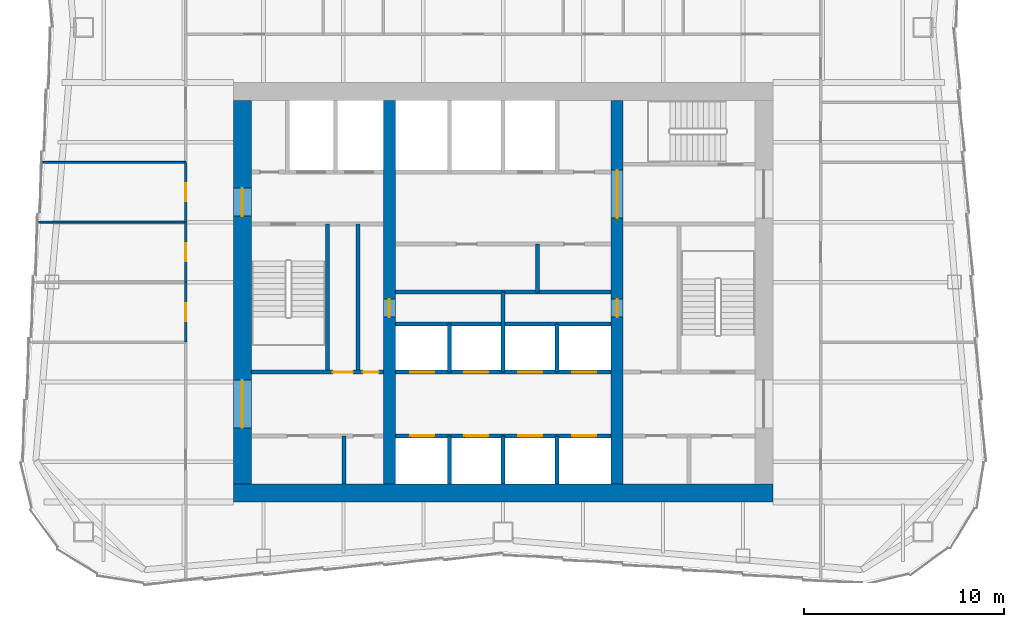
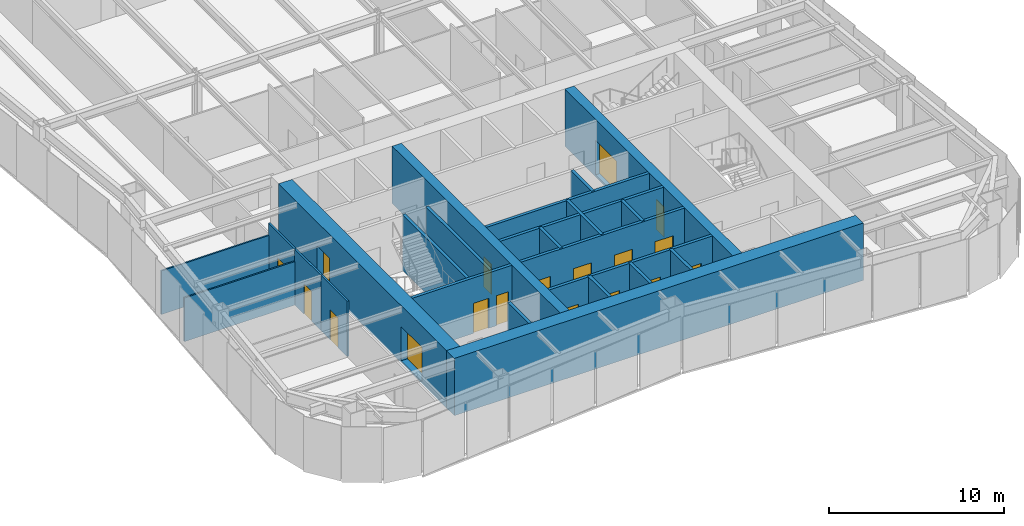
# One storey, part 5 of 10: 24 walls, 18 doors, 18 openings.
"""IFC4 building model written with IfcOpenShell, lengths in metres."""

from ifc_helpers import new_model, si_unit, direction, frame, frame_2d, origin, place, context, subcontext, project, spatial, rectangle, extrude, material, layer, layer_set, type_object, element, fill, save


model = new_model("IFC4")

# Units and contexts
model_context = context("Model", 3, precision=1e-05, world=origin(), true_north=direction((0.0, 1.0)))
body_context = subcontext(model_context, "Body", "Model", "MODEL_VIEW")
ifc_project = project(units=[si_unit("LENGTHUNIT", "METRE"), si_unit("AREAUNIT", "SQUARE_METRE"), si_unit("VOLUMEUNIT", "CUBIC_METRE"), si_unit("PLANEANGLEUNIT", "RADIAN"), si_unit("MASSUNIT", "GRAM", prefix="KILO")], contexts=[model_context])

# Site, building, storey
site_placement = place(None, origin())
site = spatial("IfcSite", under=ifc_project, at=site_placement, CompositionType="ELEMENT")
building_placement = place(site_placement, origin())
building = spatial("IfcBuilding", under=site, at=building_placement, Name="Verdant Reach Tower", CompositionType="ELEMENT")
storey_placement = place(building_placement, frame((0.0, 0.0, 186.0)))
storey = spatial("IfcBuildingStorey", under=building, at=storey_placement, Name="L42", CompositionType="ELEMENT", Elevation=186.0)

# Walls
ifc_material_1 = material(Name="Gypsum board on steel studs", Category="steel")
ifc_layer_1 = layer(ifc_material_1, 0.199951171875)
ifc_layer_set_1 = layer_set([ifc_layer_1], Name="CO-WALL-ROOM")
wall_type_1 = type_object("IfcWallType", Name="CO-WALL-ROOM", PredefinedType="PARTITIONING", material=ifc_layer_set_1)
wall_1_placement = place(storey_placement, frame((-5.39990234375, 28.0, 0.0), z_axis=(0.0, 0.0, 1.0), x_axis=(1.0, 0.0, 0.0)))
element("IfcWall", 1, at=wall_1_placement, inside=storey, type_object=wall_type_1, Name="Core partition, L42", PredefinedType="PARTITIONING", context=body_context, shape_type="SweptSolid", body=[
    extrude(rectangle(XDim=10.7998046875, YDim=0.199951171875, at=frame_2d((5.39990234375, 0.0))), origin(), (0.0, 0.0, 1.0), 3.8701171875),
])
wall_2_placement = place(storey_placement, frame((-7.97998046875, 18.39990234375, 0.0), z_axis=(0.0, 0.0, 1.0), x_axis=(0.0, 1.0, 0.0)))
element("IfcWall", 2, at=wall_2_placement, inside=storey, type_object=wall_type_1, Name="Core partition, L42", PredefinedType="PARTITIONING", context=body_context, shape_type="SweptSolid", body=[
    extrude(rectangle(XDim=2.400146484375, YDim=0.199951171875, at=frame_2d((1.2001953125, 0.0))), origin(), (0.0, 0.0, 1.0), 3.8701171875),
])
wall_3_placement = place(storey_placement, frame((-7.260009765625, 24.0, 0.0), z_axis=(0.0, 0.0, 1.0), x_axis=(0.0, 1.0, 0.0)))
element("IfcWall", 3, at=wall_3_placement, inside=storey, type_object=wall_type_1, Name="Core partition, L42", PredefinedType="PARTITIONING", context=body_context, shape_type="SweptSolid", body=[
    extrude(rectangle(XDim=7.39990234375, YDim=0.199951171875, at=frame_2d((3.699951171875, 0.0))), origin(), (0.0, 0.0, 1.0), 3.8701171875),
])
wall_4_placement = place(storey_placement, frame((1.72802734375, 28.0, 0.0), z_axis=(0.0, 0.0, 1.0), x_axis=(0.0, 1.0, 0.0)))
element("IfcWall", 4, at=wall_4_placement, inside=storey, type_object=wall_type_1, Name="Core partition, L42", PredefinedType="PARTITIONING", context=body_context, shape_type="SweptSolid", body=[
    extrude(rectangle(XDim=2.39990234375, YDim=0.199951171875, at=frame_2d((1.199951171875, 0.0))), origin(), (0.0, 0.0, 1.0), 3.8701171875),
])

# Wall, openings, doors
ifc_material_2 = material(Name="Concrete C40/50", Category="concrete")
ifc_layer_2 = layer(ifc_material_2, 0.199951171875)
ifc_layer_set_2 = layer_set([ifc_layer_2], Name="CO-WALL-SHAFT")
wall_type_2 = type_object("IfcWallType", Name="CO-WALL-SHAFT", PredefinedType="PARTITIONING", material=ifc_layer_set_2)
wall_5_placement = place(storey_placement, frame((-5.39990234375, 20.800048828125, 0.0), z_axis=(0.0, 0.0, 1.0), x_axis=(1.0, 0.0, 0.0)))
wall_5 = element("IfcWall", 5, at=wall_5_placement, inside=storey, type_object=wall_type_2, Name="Lift shaft wall, L42", PredefinedType="PARTITIONING", context=body_context, shape_type="SweptSolid", body=[
    extrude(rectangle(XDim=10.7998046875, YDim=0.199951171875, at=frame_2d((5.39990234375, 0.0))), origin(), (0.0, 0.0, 1.0), 3.8701171875),
])
opening_1_placement = place(wall_5_placement, frame((0.75, 0.0, 0.0)))
opening_1 = element("IfcOpeningElement", 6, at=opening_1_placement, cuts=wall_5, Name="Opening LD-B1", PredefinedType="OPENING", context=body_context, shape_type="SweptSolid", body=[
    extrude(rectangle(XDim=1.199951171875, YDim=2.199951171875, at=frame_2d((0.60009765625, 1.10009765625))), frame((0.0, 0.10986328125, 0.0), z_axis=(0.0, -1.0, 0.0), x_axis=(1.0, 0.0, 0.0)), (0.0, 0.0, 1.0), 0.219970703125),
])
opening_2_placement = place(wall_5_placement, frame((3.449951171875, 0.0, 0.0)))
opening_2 = element("IfcOpeningElement", 7, at=opening_2_placement, cuts=wall_5, Name="Opening LD-B2", PredefinedType="OPENING", context=body_context, shape_type="SweptSolid", body=[
    extrude(rectangle(XDim=1.199951171875, YDim=2.199951171875, at=frame_2d((0.60009765625, 1.10009765625))), frame((0.0, 0.10986328125, 0.0), z_axis=(0.0, -1.0, 0.0), x_axis=(1.0, 0.0, 0.0)), (0.0, 0.0, 1.0), 0.219970703125),
])
opening_3_placement = place(wall_5_placement, frame((6.14990234375, 0.0, 0.0)))
opening_3 = element("IfcOpeningElement", 8, at=opening_3_placement, cuts=wall_5, Name="Opening LD-B3", PredefinedType="OPENING", context=body_context, shape_type="SweptSolid", body=[
    extrude(rectangle(XDim=1.199951171875, YDim=2.199951171875, at=frame_2d((0.60009765625, 1.10009765625))), frame((0.0, 0.10986328125, 0.0), z_axis=(0.0, -1.0, 0.0), x_axis=(1.0, 0.0, 0.0)), (0.0, 0.0, 1.0), 0.219970703125),
])
opening_4_placement = place(wall_5_placement, frame((8.85009765625, 0.0, 0.0)))
opening_4 = element("IfcOpeningElement", 9, at=opening_4_placement, cuts=wall_5, Name="Opening LD-B4", PredefinedType="OPENING", context=body_context, shape_type="SweptSolid", body=[
    extrude(rectangle(XDim=1.199951171875, YDim=2.199951171875, at=frame_2d((0.60009765625, 1.10009765625))), frame((0.0, 0.10986328125, 0.0), z_axis=(0.0, -1.0, 0.0), x_axis=(1.0, 0.0, 0.0)), (0.0, 0.0, 1.0), 0.219970703125),
])
ifc_material_3 = material(Name="Stainless steel", Category="steel")
door_type_1 = type_object("IfcDoorType", Name="CO-DOOR-LANDING", OperationType="SLIDING_TO_LEFT", PredefinedType="DOOR", material=ifc_material_3)
door_1_placement = place(opening_1_placement, origin())
door_1 = element("IfcDoor", 10, at=door_1_placement, inside=storey, type_object=door_type_1, Name="Landing door B1, L42", OperationType="SLIDING_TO_LEFT", OverallHeight=2.199951171875, OverallWidth=1.199951171875, PredefinedType="DOOR", context=body_context, shape_type="SweptSolid", body=[
    extrude(rectangle(XDim=1.199951171875, YDim=2.199951171875, at=frame_2d((0.60009765625, 1.10009765625))), frame((0.0, 0.02490234375, 0.0), z_axis=(0.0, -1.0, 0.0), x_axis=(1.0, 0.0, 0.0)), (0.0, 0.0, 1.0), 0.050048828125),
])
fill(opening_1, door_1)
door_2_placement = place(opening_2_placement, origin())
door_2 = element("IfcDoor", 11, at=door_2_placement, inside=storey, type_object=door_type_1, Name="Landing door B2, L42", OperationType="SLIDING_TO_LEFT", OverallHeight=2.199951171875, OverallWidth=1.199951171875, PredefinedType="DOOR", context=body_context, shape_type="SweptSolid", body=[
    extrude(rectangle(XDim=1.199951171875, YDim=2.199951171875, at=frame_2d((0.60009765625, 1.10009765625))), frame((0.0, 0.02490234375, 0.0), z_axis=(0.0, -1.0, 0.0), x_axis=(1.0, 0.0, 0.0)), (0.0, 0.0, 1.0), 0.050048828125),
])
fill(opening_2, door_2)
door_3_placement = place(opening_3_placement, origin())
door_3 = element("IfcDoor", 12, at=door_3_placement, inside=storey, type_object=door_type_1, Name="Landing door B3, L42", OperationType="SLIDING_TO_LEFT", OverallHeight=2.199951171875, OverallWidth=1.199951171875, PredefinedType="DOOR", context=body_context, shape_type="SweptSolid", body=[
    extrude(rectangle(XDim=1.199951171875, YDim=2.199951171875, at=frame_2d((0.60009765625, 1.10009765625))), frame((0.0, 0.02490234375, 0.0), z_axis=(0.0, -1.0, 0.0), x_axis=(1.0, 0.0, 0.0)), (0.0, 0.0, 1.0), 0.050048828125),
])
fill(opening_3, door_3)
door_4_placement = place(opening_4_placement, origin())
door_4 = element("IfcDoor", 13, at=door_4_placement, inside=storey, type_object=door_type_1, Name="Landing door B4, L42", OperationType="SLIDING_TO_LEFT", OverallHeight=2.199951171875, OverallWidth=1.199951171875, PredefinedType="DOOR", context=body_context, shape_type="SweptSolid", body=[
    extrude(rectangle(XDim=1.199951171875, YDim=2.199951171875, at=frame_2d((0.60009765625, 1.10009765625))), frame((0.0, 0.02490234375, 0.0), z_axis=(0.0, -1.0, 0.0), x_axis=(1.0, 0.0, 0.0)), (0.0, 0.0, 1.0), 0.050048828125),
])
fill(opening_4, door_4)

wall_6_placement = place(storey_placement, frame((-5.39990234375, 24.0, 0.0), z_axis=(0.0, 0.0, 1.0), x_axis=(1.0, 0.0, 0.0)))
wall_6 = element("IfcWall", 14, at=wall_6_placement, inside=storey, type_object=wall_type_2, Name="Lift shaft wall, L42", PredefinedType="PARTITIONING", context=body_context, shape_type="SweptSolid", body=[
    extrude(rectangle(XDim=10.7998046875, YDim=0.199951171875, at=frame_2d((5.39990234375, 0.0))), origin(), (0.0, 0.0, 1.0), 3.8701171875),
])
opening_5_placement = place(wall_6_placement, frame((0.75, 0.0, 0.0)))
opening_5 = element("IfcOpeningElement", 15, at=opening_5_placement, cuts=wall_6, Name="Opening LD-A5", PredefinedType="OPENING", context=body_context, shape_type="SweptSolid", body=[
    extrude(rectangle(XDim=1.199951171875, YDim=2.199951171875, at=frame_2d((0.60009765625, 1.10009765625))), frame((0.0, 0.10986328125, 0.0), z_axis=(0.0, -1.0, 0.0), x_axis=(1.0, 0.0, 0.0)), (0.0, 0.0, 1.0), 0.219970703125),
])
opening_6_placement = place(wall_6_placement, frame((3.449951171875, 0.0, 0.0)))
opening_6 = element("IfcOpeningElement", 16, at=opening_6_placement, cuts=wall_6, Name="Opening LD-A6", PredefinedType="OPENING", context=body_context, shape_type="SweptSolid", body=[
    extrude(rectangle(XDim=1.199951171875, YDim=2.199951171875, at=frame_2d((0.60009765625, 1.10009765625))), frame((0.0, 0.10986328125, 0.0), z_axis=(0.0, -1.0, 0.0), x_axis=(1.0, 0.0, 0.0)), (0.0, 0.0, 1.0), 0.219970703125),
])
opening_7_placement = place(wall_6_placement, frame((6.14990234375, 0.0, 0.0)))
opening_7 = element("IfcOpeningElement", 17, at=opening_7_placement, cuts=wall_6, Name="Opening LD-A7", PredefinedType="OPENING", context=body_context, shape_type="SweptSolid", body=[
    extrude(rectangle(XDim=1.199951171875, YDim=2.199951171875, at=frame_2d((0.60009765625, 1.10009765625))), frame((0.0, 0.10986328125, 0.0), z_axis=(0.0, -1.0, 0.0), x_axis=(1.0, 0.0, 0.0)), (0.0, 0.0, 1.0), 0.219970703125),
])
opening_8_placement = place(wall_6_placement, frame((8.85009765625, 0.0, 0.0)))
opening_8 = element("IfcOpeningElement", 18, at=opening_8_placement, cuts=wall_6, Name="Opening LD-A8", PredefinedType="OPENING", context=body_context, shape_type="SweptSolid", body=[
    extrude(rectangle(XDim=1.199951171875, YDim=2.199951171875, at=frame_2d((0.60009765625, 1.10009765625))), frame((0.0, 0.10986328125, 0.0), z_axis=(0.0, -1.0, 0.0), x_axis=(1.0, 0.0, 0.0)), (0.0, 0.0, 1.0), 0.219970703125),
])
door_5_placement = place(opening_5_placement, origin())
door_5 = element("IfcDoor", 19, at=door_5_placement, inside=storey, type_object=door_type_1, Name="Landing door A5, L42", OperationType="SLIDING_TO_LEFT", OverallHeight=2.199951171875, OverallWidth=1.199951171875, PredefinedType="DOOR", context=body_context, shape_type="SweptSolid", body=[
    extrude(rectangle(XDim=1.199951171875, YDim=2.199951171875, at=frame_2d((0.60009765625, 1.10009765625))), frame((0.0, 0.02490234375, 0.0), z_axis=(0.0, -1.0, 0.0), x_axis=(1.0, 0.0, 0.0)), (0.0, 0.0, 1.0), 0.050048828125),
])
fill(opening_5, door_5)
door_6_placement = place(opening_6_placement, origin())
door_6 = element("IfcDoor", 20, at=door_6_placement, inside=storey, type_object=door_type_1, Name="Landing door A6, L42", OperationType="SLIDING_TO_LEFT", OverallHeight=2.199951171875, OverallWidth=1.199951171875, PredefinedType="DOOR", context=body_context, shape_type="SweptSolid", body=[
    extrude(rectangle(XDim=1.199951171875, YDim=2.199951171875, at=frame_2d((0.60009765625, 1.10009765625))), frame((0.0, 0.02490234375, 0.0), z_axis=(0.0, -1.0, 0.0), x_axis=(1.0, 0.0, 0.0)), (0.0, 0.0, 1.0), 0.050048828125),
])
fill(opening_6, door_6)
door_7_placement = place(opening_7_placement, origin())
door_7 = element("IfcDoor", 21, at=door_7_placement, inside=storey, type_object=door_type_1, Name="Landing door A7, L42", OperationType="SLIDING_TO_LEFT", OverallHeight=2.199951171875, OverallWidth=1.199951171875, PredefinedType="DOOR", context=body_context, shape_type="SweptSolid", body=[
    extrude(rectangle(XDim=1.199951171875, YDim=2.199951171875, at=frame_2d((0.60009765625, 1.10009765625))), frame((0.0, 0.02490234375, 0.0), z_axis=(0.0, -1.0, 0.0), x_axis=(1.0, 0.0, 0.0)), (0.0, 0.0, 1.0), 0.050048828125),
])
fill(opening_7, door_7)
door_8_placement = place(opening_8_placement, origin())
door_8 = element("IfcDoor", 22, at=door_8_placement, inside=storey, type_object=door_type_1, Name="Landing door A8, L42", OperationType="SLIDING_TO_LEFT", OverallHeight=2.199951171875, OverallWidth=1.199951171875, PredefinedType="DOOR", context=body_context, shape_type="SweptSolid", body=[
    extrude(rectangle(XDim=1.199951171875, YDim=2.199951171875, at=frame_2d((0.60009765625, 1.10009765625))), frame((0.0, 0.02490234375, 0.0), z_axis=(0.0, -1.0, 0.0), x_axis=(1.0, 0.0, 0.0)), (0.0, 0.0, 1.0), 0.050048828125),
])
fill(opening_8, door_8)

# Walls
wall_7_placement = place(storey_placement, frame((-5.39990234375, 26.39990234375, 0.0), z_axis=(0.0, 0.0, 1.0), x_axis=(1.0, 0.0, 0.0)))
element("IfcWall", 23, at=wall_7_placement, inside=storey, type_object=wall_type_2, Name="Lift shaft wall, L42", PredefinedType="PARTITIONING", context=body_context, shape_type="SweptSolid", body=[
    extrude(rectangle(XDim=10.7998046875, YDim=0.199951171875, at=frame_2d((5.39990234375, 0.0))), origin(), (0.0, 0.0, 1.0), 3.8701171875),
])
wall_8_placement = place(storey_placement, frame((-2.699951171875, 18.39990234375, 0.0), z_axis=(0.0, 0.0, 1.0), x_axis=(0.0, 1.0, 0.0)))
element("IfcWall", 24, at=wall_8_placement, inside=storey, type_object=wall_type_2, Name="Lift shaft wall, L42", PredefinedType="PARTITIONING", context=body_context, shape_type="SweptSolid", body=[
    extrude(rectangle(XDim=2.400146484375, YDim=0.199951171875, at=frame_2d((1.2001953125, 0.0))), origin(), (0.0, 0.0, 1.0), 3.8701171875),
])
wall_9_placement = place(storey_placement, frame((-2.699951171875, 24.0, 0.0), z_axis=(0.0, 0.0, 1.0), x_axis=(0.0, 1.0, 0.0)))
element("IfcWall", 25, at=wall_9_placement, inside=storey, type_object=wall_type_2, Name="Lift shaft wall, L42", PredefinedType="PARTITIONING", context=body_context, shape_type="SweptSolid", body=[
    extrude(rectangle(XDim=2.39990234375, YDim=0.199951171875, at=frame_2d((1.199951171875, 0.0))), origin(), (0.0, 0.0, 1.0), 3.8701171875),
])
wall_10_placement = place(storey_placement, frame((0.0, 18.39990234375, 0.0), z_axis=(0.0, 0.0, 1.0), x_axis=(0.0, 1.0, 0.0)))
element("IfcWall", 26, at=wall_10_placement, inside=storey, type_object=wall_type_2, Name="Lift shaft wall, L42", PredefinedType="PARTITIONING", context=body_context, shape_type="SweptSolid", body=[
    extrude(rectangle(XDim=2.400146484375, YDim=0.199951171875, at=frame_2d((1.2001953125, 0.0))), origin(), (0.0, 0.0, 1.0), 3.8701171875),
])
wall_11_placement = place(storey_placement, frame((0.0, 24.0, 0.0), z_axis=(0.0, 0.0, 1.0), x_axis=(0.0, 1.0, 0.0)))
element("IfcWall", 27, at=wall_11_placement, inside=storey, type_object=wall_type_2, Name="Lift shaft wall, L42", PredefinedType="PARTITIONING", context=body_context, shape_type="SweptSolid", body=[
    extrude(rectangle(XDim=4.0, YDim=0.199951171875, at=frame_2d((2.0, 0.0))), origin(), (0.0, 0.0, 1.0), 3.8701171875),
])
wall_12_placement = place(storey_placement, frame((2.699951171875, 18.39990234375, 0.0), z_axis=(0.0, 0.0, 1.0), x_axis=(0.0, 1.0, 0.0)))
element("IfcWall", 28, at=wall_12_placement, inside=storey, type_object=wall_type_2, Name="Lift shaft wall, L42", PredefinedType="PARTITIONING", context=body_context, shape_type="SweptSolid", body=[
    extrude(rectangle(XDim=2.400146484375, YDim=0.199951171875, at=frame_2d((1.2001953125, 0.0))), origin(), (0.0, 0.0, 1.0), 3.8701171875),
])
wall_13_placement = place(storey_placement, frame((2.699951171875, 24.0, 0.0), z_axis=(0.0, 0.0, 1.0), x_axis=(0.0, 1.0, 0.0)))
element("IfcWall", 29, at=wall_13_placement, inside=storey, type_object=wall_type_2, Name="Lift shaft wall, L42", PredefinedType="PARTITIONING", context=body_context, shape_type="SweptSolid", body=[
    extrude(rectangle(XDim=2.39990234375, YDim=0.199951171875, at=frame_2d((1.199951171875, 0.0))), origin(), (0.0, 0.0, 1.0), 3.8701171875),
])

# Wall, openings, doors
ifc_layer_3 = layer(ifc_material_2, 0.199951171875)
ifc_layer_set_3 = layer_set([ifc_layer_3], Name="CO-WALL-STAIR")
wall_type_3 = type_object("IfcWallType", Name="CO-WALL-STAIR", PredefinedType="PARTITIONING", material=ifc_layer_set_3)
wall_14_placement = place(storey_placement, frame((-12.60009765625, 24.0, 0.0), z_axis=(0.0, 0.0, 1.0), x_axis=(1.0, 0.0, 0.0)))
wall_14 = element("IfcWall", 30, at=wall_14_placement, inside=storey, type_object=wall_type_3, Name="Stair enclosure wall, L42", PredefinedType="PARTITIONING", context=body_context, shape_type="SweptSolid", body=[
    extrude(rectangle(XDim=6.60009765625, YDim=0.199951171875, at=frame_2d((3.300048828125, 0.0))), origin(), (0.0, 0.0, 1.0), 3.8701171875),
])
opening_9_placement = place(wall_14_placement, frame((4.070068359375, 0.0, 0.0)))
opening_9 = element("IfcOpeningElement", 31, at=opening_9_placement, cuts=wall_14, Name="Opening CD", PredefinedType="OPENING", context=body_context, shape_type="SweptSolid", body=[
    extrude(rectangle(XDim=1.0, YDim=2.10009765625, at=frame_2d((0.5, 1.050048828125))), frame((0.0, 0.10986328125, 0.0), z_axis=(0.0, -1.0, 0.0), x_axis=(1.0, 0.0, 0.0)), (0.0, 0.0, 1.0), 0.219970703125),
])
opening_10_placement = place(wall_14_placement, frame((5.570068359375, 0.0, 0.0)))
opening_10 = element("IfcOpeningElement", 32, at=opening_10_placement, cuts=wall_14, Name="Opening CDN", PredefinedType="OPENING", context=body_context, shape_type="SweptSolid", body=[
    extrude(rectangle(XDim=0.800048828125, YDim=2.10009765625, at=frame_2d((0.39990234375, 1.050048828125))), frame((0.0, 0.10986328125, 0.0), z_axis=(0.0, -1.0, 0.0), x_axis=(1.0, 0.0, 0.0)), (0.0, 0.0, 1.0), 0.219970703125),
])
ifc_material_4 = material(Name="Timber", Category="wood")
door_type_2 = type_object("IfcDoorType", Name="CO-DOOR-ROOM", OperationType="NOTDEFINED", PredefinedType="DOOR", material=ifc_material_4)
door_9_placement = place(opening_9_placement, origin())
door_9 = element("IfcDoor", 33, at=door_9_placement, inside=storey, type_object=door_type_2, Name="Core room door, L42", OperationType="SINGLE_SWING_RIGHT", OverallHeight=2.10009765625, OverallWidth=1.0, PredefinedType="DOOR", context=body_context, shape_type="SweptSolid", body=[
    extrude(rectangle(XDim=1.0, YDim=2.10009765625, at=frame_2d((0.5, 1.050048828125))), frame((0.0, 0.02490234375, 0.0), z_axis=(0.0, -1.0, 0.0), x_axis=(1.0, 0.0, 0.0)), (0.0, 0.0, 1.0), 0.050048828125),
])
fill(opening_9, door_9)
door_type_3 = type_object("IfcDoorType", Name="CO-DOOR-ROOM-NARROW", OperationType="NOTDEFINED", PredefinedType="DOOR", material=ifc_material_4)
door_10_placement = place(opening_10_placement, origin())
door_10 = element("IfcDoor", 34, at=door_10_placement, inside=storey, type_object=door_type_3, Name="Core room door, L42", OperationType="SINGLE_SWING_LEFT", OverallHeight=2.10009765625, OverallWidth=0.800048828125, PredefinedType="DOOR", context=body_context, shape_type="SweptSolid", body=[
    extrude(rectangle(XDim=0.800048828125, YDim=2.10009765625, at=frame_2d((0.39990234375, 1.050048828125))), frame((0.0, 0.02490234375, 0.0), z_axis=(0.0, -1.0, 0.0), x_axis=(1.0, 0.0, 0.0)), (0.0, 0.0, 1.0), 0.050048828125),
])
fill(opening_10, door_10)

# Walls
wall_15_placement = place(storey_placement, frame((-8.800048828125, 24.0, 0.0), z_axis=(0.0, 0.0, 1.0), x_axis=(0.0, 1.0, 0.0)))
element("IfcWall", 35, at=wall_15_placement, inside=storey, type_object=wall_type_3, Name="Stair enclosure wall, L42", PredefinedType="PARTITIONING", context=body_context, shape_type="SweptSolid", body=[
    extrude(rectangle(XDim=7.39990234375, YDim=0.199951171875, at=frame_2d((3.699951171875, 0.0))), origin(), (0.0, 0.0, 1.0), 3.8701171875),
])
ifc_layer_4 = layer(ifc_material_1, 0.10009765625)
ifc_layer_set_4 = layer_set([ifc_layer_4], Name="FL-W1 Partition 100")
wall_type_4 = type_object("IfcWallType", Name="FL-W1 Partition 100", PredefinedType="PARTITIONING", material=ifc_layer_set_4)
wall_16_placement = place(storey_placement, frame((-15.89990234375, 31.5, 0.0), z_axis=(0.0, 0.0, 1.0), x_axis=(-1.0, 0.0, 0.0)))
element("IfcWall", 36, at=wall_16_placement, inside=storey, type_object=wall_type_4, Name="Partition 42.41", PredefinedType="PARTITIONING", context=body_context, shape_type="SweptSolid", body=[
    extrude(rectangle(XDim=7.3525390625, YDim=0.10009765625, at=frame_2d((3.67626953125, 0.0))), origin(), (0.0, 0.0, 1.0), 3.0400390625),
])
wall_17_placement = place(storey_placement, frame((-15.89990234375, 34.5, 0.0), z_axis=(0.0, 0.0, 1.0), x_axis=(-1.0, 0.0, 0.0)))
element("IfcWall", 37, at=wall_17_placement, inside=storey, type_object=wall_type_4, Name="Partition 42.42", PredefinedType="PARTITIONING", context=body_context, shape_type="SweptSolid", body=[
    extrude(rectangle(XDim=7.1455078125, YDim=0.10009765625, at=frame_2d((3.57275390625, 0.0))), origin(), (0.0, 0.0, 1.0), 3.0400390625),
])

# Wall, opening, door
ifc_material_5 = material(Name="Gypsum board on steel studs, fire rated", Category="steel")
ifc_layer_5 = layer(ifc_material_5, 0.125)
ifc_layer_set_5 = layer_set([ifc_layer_5], Name="FL-W2 Corridor wall 125")
wall_type_5 = type_object("IfcWallType", Name="FL-W2 Corridor wall 125", PredefinedType="PARTITIONING", material=ifc_layer_set_5)
wall_18_placement = place(storey_placement, frame((-15.89990234375, 25.5, 0.0), z_axis=(0.0, 0.0, 1.0), x_axis=(0.0, 1.0, 0.0)))
wall_18 = element("IfcWall", 38, at=wall_18_placement, inside=storey, type_object=wall_type_5, Name="Partition 42.08", PredefinedType="PARTITIONING", context=body_context, shape_type="SweptSolid", body=[
    extrude(rectangle(XDim=3.0, YDim=0.125, at=frame_2d((1.5, 0.0))), origin(), (0.0, 0.0, 1.0), 3.8701171875),
])
opening_11_placement = place(wall_18_placement, frame((1.050048828125, 0.0, 0.0)))
opening_11 = element("IfcOpeningElement", 39, at=opening_11_placement, cuts=wall_18, Name="Opening D1", PredefinedType="OPENING", context=body_context, shape_type="SweptSolid", body=[
    extrude(rectangle(XDim=0.89990234375, YDim=2.10009765625, at=frame_2d((0.449951171875, 1.050048828125))), frame((0.0, 0.072509765625, 0.0), z_axis=(0.0, -1.0, 0.0), x_axis=(1.0, 0.0, 0.0)), (0.0, 0.0, 1.0), 0.14501953125),
])
ifc_material_6 = material(Name="Painted timber door leaf", Category="wood")
door_type_4 = type_object("IfcDoorType", Name="FL-D1 Door 900x2100", OperationType="NOTDEFINED", PredefinedType="DOOR", material=ifc_material_6)
door_11_placement = place(opening_11_placement, origin())
door_11 = element("IfcDoor", 40, at=door_11_placement, inside=storey, type_object=door_type_4, Name="Door 42-006", OperationType="SINGLE_SWING_RIGHT", OverallHeight=2.10009765625, OverallWidth=0.89990234375, PredefinedType="DOOR", context=body_context, shape_type="SweptSolid", body=[
    extrude(rectangle(XDim=0.89990234375, YDim=2.10009765625, at=frame_2d((0.449951171875, 1.050048828125))), frame((0.0, 0.02490234375, 0.0), z_axis=(0.0, -1.0, 0.0), x_axis=(1.0, 0.0, 0.0)), (0.0, 0.0, 1.0), 0.050048828125),
])
fill(opening_11, door_11)

wall_19_placement = place(storey_placement, frame((-15.89990234375, 28.5, 0.0), z_axis=(0.0, 0.0, 1.0), x_axis=(0.0, 1.0, 0.0)))
wall_19 = element("IfcWall", 41, at=wall_19_placement, inside=storey, type_object=wall_type_5, Name="Partition 42.09", PredefinedType="PARTITIONING", context=body_context, shape_type="SweptSolid", body=[
    extrude(rectangle(XDim=3.0, YDim=0.125, at=frame_2d((1.5, 0.0))), origin(), (0.0, 0.0, 1.0), 3.8701171875),
])
opening_12_placement = place(wall_19_placement, frame((1.050048828125, 0.0, 0.0)))
opening_12 = element("IfcOpeningElement", 42, at=opening_12_placement, cuts=wall_19, Name="Opening D1", PredefinedType="OPENING", context=body_context, shape_type="SweptSolid", body=[
    extrude(rectangle(XDim=0.89990234375, YDim=2.10009765625, at=frame_2d((0.449951171875, 1.050048828125))), frame((0.0, 0.072509765625, 0.0), z_axis=(0.0, -1.0, 0.0), x_axis=(1.0, 0.0, 0.0)), (0.0, 0.0, 1.0), 0.14501953125),
])
door_12_placement = place(opening_12_placement, origin())
door_12 = element("IfcDoor", 43, at=door_12_placement, inside=storey, type_object=door_type_4, Name="Door 42-007", OperationType="SINGLE_SWING_LEFT", OverallHeight=2.10009765625, OverallWidth=0.89990234375, PredefinedType="DOOR", context=body_context, shape_type="SweptSolid", body=[
    extrude(rectangle(XDim=0.89990234375, YDim=2.10009765625, at=frame_2d((0.449951171875, 1.050048828125))), frame((0.0, 0.02490234375, 0.0), z_axis=(0.0, -1.0, 0.0), x_axis=(1.0, 0.0, 0.0)), (0.0, 0.0, 1.0), 0.050048828125),
])
fill(opening_12, door_12)

wall_20_placement = place(storey_placement, frame((-15.89990234375, 31.5, 0.0), z_axis=(0.0, 0.0, 1.0), x_axis=(0.0, 1.0, 0.0)))
wall_20 = element("IfcWall", 44, at=wall_20_placement, inside=storey, type_object=wall_type_5, Name="Partition 42.10", PredefinedType="PARTITIONING", context=body_context, shape_type="SweptSolid", body=[
    extrude(rectangle(XDim=3.0, YDim=0.125, at=frame_2d((1.5, 0.0))), origin(), (0.0, 0.0, 1.0), 3.8701171875),
])
opening_13_placement = place(wall_20_placement, frame((1.050048828125, 0.0, 0.0)))
opening_13 = element("IfcOpeningElement", 45, at=opening_13_placement, cuts=wall_20, Name="Opening D1", PredefinedType="OPENING", context=body_context, shape_type="SweptSolid", body=[
    extrude(rectangle(XDim=0.89990234375, YDim=2.10009765625, at=frame_2d((0.449951171875, 1.050048828125))), frame((0.0, 0.072509765625, 0.0), z_axis=(0.0, -1.0, 0.0), x_axis=(1.0, 0.0, 0.0)), (0.0, 0.0, 1.0), 0.14501953125),
])
door_13_placement = place(opening_13_placement, origin())
door_13 = element("IfcDoor", 46, at=door_13_placement, inside=storey, type_object=door_type_4, Name="Door 42-008", OperationType="SINGLE_SWING_RIGHT", OverallHeight=2.10009765625, OverallWidth=0.89990234375, PredefinedType="DOOR", context=body_context, shape_type="SweptSolid", body=[
    extrude(rectangle(XDim=0.89990234375, YDim=2.10009765625, at=frame_2d((0.449951171875, 1.050048828125))), frame((0.0, 0.02490234375, 0.0), z_axis=(0.0, -1.0, 0.0), x_axis=(1.0, 0.0, 0.0)), (0.0, 0.0, 1.0), 0.050048828125),
])
fill(opening_13, door_13)

ifc_material_7 = material(Name="Concrete C70/85", Category="concrete")
ifc_layer_6 = layer(ifc_material_7, 0.60009765625)
ifc_layer_set_6 = layer_set([ifc_layer_6], Name="ST-CORE-WALL-600")
wall_type_6 = type_object("IfcWallType", Name="ST-CORE-WALL-600", PredefinedType="SHEAR", material=ifc_layer_set_6)
wall_21_placement = place(storey_placement, frame((-5.699951171875, 18.39990234375, -0.1298828125), z_axis=(0.0, 0.0, 1.0), x_axis=(0.0, 1.0, 0.0)))
wall_21 = element("IfcWall", 47, at=wall_21_placement, inside=storey, type_object=wall_type_6, Name="Core wall XW, L42", PredefinedType="SHEAR", context=body_context, shape_type="SweptSolid", body=[
    extrude(rectangle(XDim=19.2001953125, YDim=0.60009765625, at=frame_2d((9.60009765625, 0.0))), origin(), (0.0, 0.0, 1.0), 4.0),
])
opening_14_placement = place(wall_21_placement, frame((8.35009765625, 0.0, 0.1298828125)))
opening_14 = element("IfcOpeningElement", 48, at=opening_14_placement, cuts=wall_21, Name="Opening RD", PredefinedType="OPENING", context=body_context, shape_type="SweptSolid", body=[
    extrude(rectangle(XDim=0.89990234375, YDim=2.10009765625, at=frame_2d((0.449951171875, 1.050048828125))), frame((0.0, 0.31005859375, 0.0), z_axis=(0.0, -1.0, 0.0), x_axis=(1.0, 0.0, 0.0)), (0.0, 0.0, 1.0), 0.6201171875),
])
ifc_material_8 = material(Name="Steel", Category="steel")
door_type_5 = type_object("IfcDoorType", Name="CO-DOOR-RISER", OperationType="NOTDEFINED", PredefinedType="DOOR", material=ifc_material_8)
door_14_placement = place(opening_14_placement, origin())
door_14 = element("IfcDoor", 49, at=door_14_placement, inside=storey, type_object=door_type_5, Name="Riser door, L42", OperationType="SINGLE_SWING_LEFT", OverallHeight=2.10009765625, OverallWidth=0.89990234375, PredefinedType="DOOR", context=body_context, shape_type="SweptSolid", body=[
    extrude(rectangle(XDim=0.89990234375, YDim=2.10009765625, at=frame_2d((0.449951171875, 1.050048828125))), frame((0.0, 0.02490234375, 0.0), z_axis=(0.0, -1.0, 0.0), x_axis=(1.0, 0.0, 0.0)), (0.0, 0.0, 1.0), 0.050048828125),
])
fill(opening_14, door_14)

# Wall, openings, doors
wall_22_placement = place(storey_placement, frame((5.699951171875, 18.39990234375, -0.1298828125), z_axis=(0.0, 0.0, 1.0), x_axis=(0.0, 1.0, 0.0)))
wall_22 = element("IfcWall", 50, at=wall_22_placement, inside=storey, type_object=wall_type_6, Name="Core wall XE, L42", PredefinedType="SHEAR", context=body_context, shape_type="SweptSolid", body=[
    extrude(rectangle(XDim=19.2001953125, YDim=0.60009765625, at=frame_2d((9.60009765625, 0.0))), origin(), (0.0, 0.0, 1.0), 4.0),
])
opening_15_placement = place(wall_22_placement, frame((8.35009765625, 0.0, 0.1298828125)))
opening_15 = element("IfcOpeningElement", 51, at=opening_15_placement, cuts=wall_22, Name="Opening RD", PredefinedType="OPENING", context=body_context, shape_type="SweptSolid", body=[
    extrude(rectangle(XDim=0.89990234375, YDim=2.10009765625, at=frame_2d((0.449951171875, 1.050048828125))), frame((0.0, 0.31005859375, 0.0), z_axis=(0.0, -1.0, 0.0), x_axis=(1.0, 0.0, 0.0)), (0.0, 0.0, 1.0), 0.6201171875),
])
opening_16_placement = place(wall_22_placement, frame((13.300048828125, 0.0, 0.1298828125)))
opening_16 = element("IfcOpeningElement", 52, at=opening_16_placement, cuts=wall_22, Name="Opening LB", PredefinedType="OPENING", context=body_context, shape_type="SweptSolid", body=[
    extrude(rectangle(XDim=2.39990234375, YDim=2.39990234375, at=frame_2d((1.199951171875, 1.199951171875))), frame((0.0, 0.31005859375, 0.0), z_axis=(0.0, -1.0, 0.0), x_axis=(1.0, 0.0, 0.0)), (0.0, 0.0, 1.0), 0.6201171875),
])
ifc_material_9 = material(Name="Glass and steel", Category="steel")
door_type_6 = type_object("IfcDoorType", Name="CO-DOOR-LOBBY", OperationType="DOUBLE_DOOR_SINGLE_SWING", PredefinedType="DOOR", material=ifc_material_9)
door_15_placement = place(opening_16_placement, origin())
door_15 = element("IfcDoor", 53, at=door_15_placement, inside=storey, type_object=door_type_6, Name="Core entrance door, L42", OperationType="DOUBLE_DOOR_SINGLE_SWING", OverallHeight=2.39990234375, OverallWidth=2.39990234375, PredefinedType="DOOR", context=body_context, shape_type="SweptSolid", body=[
    extrude(rectangle(XDim=2.39990234375, YDim=2.39990234375, at=frame_2d((1.199951171875, 1.199951171875))), frame((0.0, 0.02490234375, 0.0), z_axis=(0.0, -1.0, 0.0), x_axis=(1.0, 0.0, 0.0)), (0.0, 0.0, 1.0), 0.050048828125),
])
fill(opening_16, door_15)
door_16_placement = place(opening_15_placement, origin())
door_16 = element("IfcDoor", 54, at=door_16_placement, inside=storey, type_object=door_type_5, Name="Riser door, L42", OperationType="SINGLE_SWING_RIGHT", OverallHeight=2.10009765625, OverallWidth=0.89990234375, PredefinedType="DOOR", context=body_context, shape_type="SweptSolid", body=[
    extrude(rectangle(XDim=0.89990234375, YDim=2.10009765625, at=frame_2d((0.449951171875, 1.050048828125))), frame((0.0, 0.02490234375, 0.0), z_axis=(0.0, -1.0, 0.0), x_axis=(1.0, 0.0, 0.0)), (0.0, 0.0, 1.0), 0.050048828125),
])
fill(opening_15, door_16)

# Wall
ifc_layer_7 = layer(ifc_material_7, 0.89990234375)
ifc_layer_set_7 = layer_set([ifc_layer_7], Name="ST-CORE-WALL-900")
wall_type_7 = type_object("IfcWallType", Name="ST-CORE-WALL-900", PredefinedType="SHEAR", material=ifc_layer_set_7)
wall_23_placement = place(storey_placement, frame((-13.5, 17.949951171875, -0.1298828125), z_axis=(0.0, 0.0, 1.0), x_axis=(1.0, 0.0, 0.0)))
element("IfcWall", 55, at=wall_23_placement, inside=storey, type_object=wall_type_7, Name="Core wall S, L42", PredefinedType="SHEAR", context=body_context, shape_type="SweptSolid", body=[
    extrude(rectangle(XDim=27.0, YDim=0.89990234375, at=frame_2d((13.5, 0.0))), origin(), (0.0, 0.0, 1.0), 4.0),
])

# Wall, openings, doors
wall_24_placement = place(storey_placement, frame((-13.050048828125, 18.39990234375, -0.1298828125), z_axis=(0.0, 0.0, 1.0), x_axis=(0.0, 1.0, 0.0)))
wall_24 = element("IfcWall", 56, at=wall_24_placement, inside=storey, type_object=wall_type_7, Name="Core wall W, L42", PredefinedType="SHEAR", context=body_context, shape_type="SweptSolid", body=[
    extrude(rectangle(XDim=19.2001953125, YDim=0.89990234375, at=frame_2d((9.60009765625, 0.0))), origin(), (0.0, 0.0, 1.0), 4.0),
])
opening_17_placement = place(wall_24_placement, frame((2.800048828125, 0.0, 0.1298828125)))
opening_17 = element("IfcOpeningElement", 57, at=opening_17_placement, cuts=wall_24, Name="Opening LB", PredefinedType="OPENING", context=body_context, shape_type="SweptSolid", body=[
    extrude(rectangle(XDim=2.39990234375, YDim=2.39990234375, at=frame_2d((1.199951171875, 1.199951171875))), frame((0.0, 0.4599609375, 0.0), z_axis=(0.0, -1.0, 0.0), x_axis=(1.0, 0.0, 0.0)), (0.0, 0.0, 1.0), 0.919921875),
])
opening_18_placement = place(wall_24_placement, frame((13.39990234375, 0.0, 0.1298828125)))
opening_18 = element("IfcOpeningElement", 58, at=opening_18_placement, cuts=wall_24, Name="Opening FL", PredefinedType="OPENING", context=body_context, shape_type="SweptSolid", body=[
    extrude(rectangle(XDim=1.39990234375, YDim=2.199951171875, at=frame_2d((0.699951171875, 1.10009765625))), frame((0.0, 0.4599609375, 0.0), z_axis=(0.0, -1.0, 0.0), x_axis=(1.0, 0.0, 0.0)), (0.0, 0.0, 1.0), 0.919921875),
])
door_type_7 = type_object("IfcDoorType", Name="CO-DOOR-FFL", OperationType="NOTDEFINED", PredefinedType="DOOR", material=ifc_material_8)
door_17_placement = place(opening_18_placement, origin())
door_17 = element("IfcDoor", 59, at=door_17_placement, inside=storey, type_object=door_type_7, Name="Core entrance door, L42", OperationType="SINGLE_SWING_RIGHT", OverallHeight=2.199951171875, OverallWidth=1.39990234375, PredefinedType="DOOR", context=body_context, shape_type="SweptSolid", body=[
    extrude(rectangle(XDim=1.39990234375, YDim=2.199951171875, at=frame_2d((0.699951171875, 1.10009765625))), frame((0.0, 0.02490234375, 0.0), z_axis=(0.0, -1.0, 0.0), x_axis=(1.0, 0.0, 0.0)), (0.0, 0.0, 1.0), 0.050048828125),
])
fill(opening_18, door_17)
door_18_placement = place(opening_17_placement, origin())
door_18 = element("IfcDoor", 60, at=door_18_placement, inside=storey, type_object=door_type_6, Name="Core entrance door, L42", OperationType="DOUBLE_DOOR_SINGLE_SWING", OverallHeight=2.39990234375, OverallWidth=2.39990234375, PredefinedType="DOOR", context=body_context, shape_type="SweptSolid", body=[
    extrude(rectangle(XDim=2.39990234375, YDim=2.39990234375, at=frame_2d((1.199951171875, 1.199951171875))), frame((0.0, 0.02490234375, 0.0), z_axis=(0.0, -1.0, 0.0), x_axis=(1.0, 0.0, 0.0)), (0.0, 0.0, 1.0), 0.050048828125),
])
fill(opening_17, door_18)

save(model, "model.ifc")
